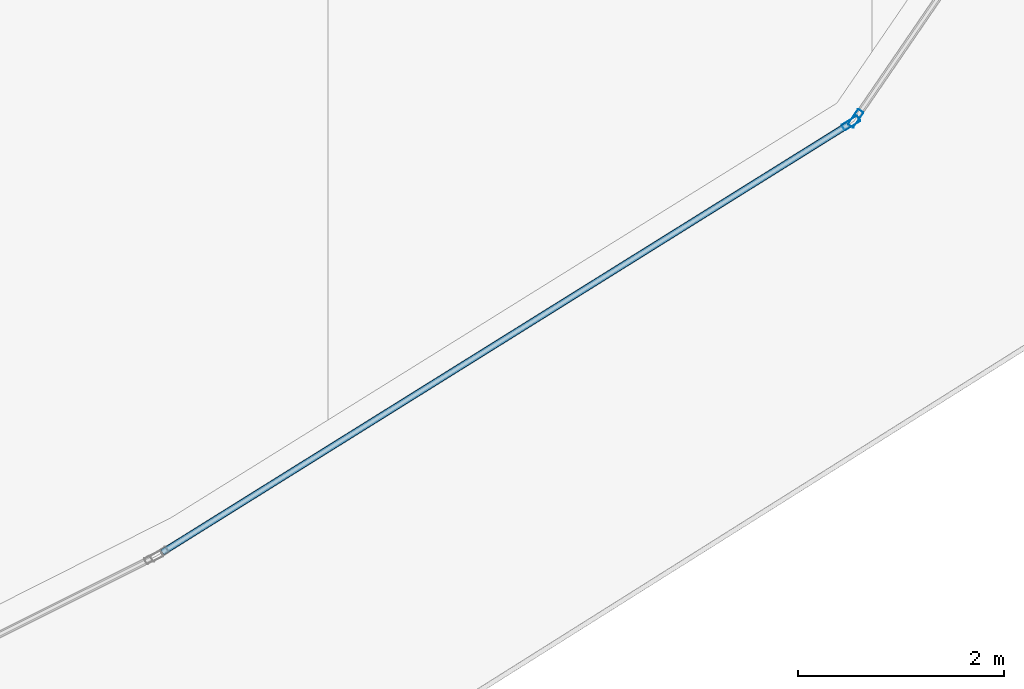
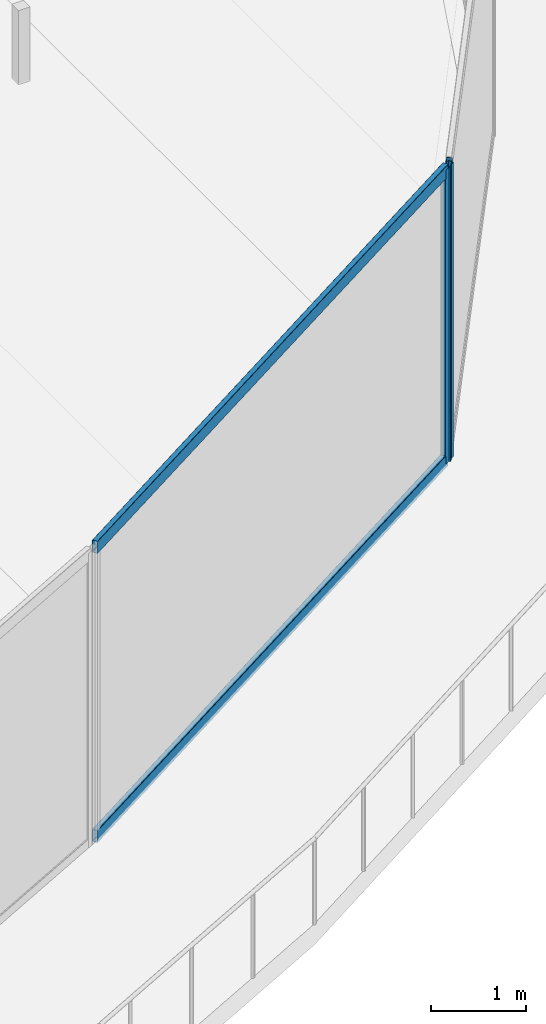
# One storey, part 11 of 43: 4 members, 2 elements without a shape of their own.
"""IFC4 building model written with IfcOpenShell, lengths in metres."""

from ifc_helpers import new_model, si_unit, direction, frame, origin, origin_2d, place, context, subcontext, project, spatial, hollow_rectangle, extrude, material, layer, layer_set, material_profile, profile_set, type_object, element, aggregate, save


model = new_model("IFC4")

# Units and contexts
model_context = context("Model", 3, precision=1e-05, world=origin(), true_north=direction((0.0, 1.0)))
body_context = subcontext(model_context, "Body", "Model", "MODEL_VIEW")
ifc_project = project(units=[si_unit("LENGTHUNIT", "METRE"), si_unit("AREAUNIT", "SQUARE_METRE"), si_unit("VOLUMEUNIT", "CUBIC_METRE"), si_unit("PLANEANGLEUNIT", "RADIAN"), si_unit("MASSUNIT", "GRAM", prefix="KILO")], contexts=[model_context])

# Site, building, storey
site_placement = place(None, origin())
site = spatial("IfcSite", under=ifc_project, at=site_placement, CompositionType="ELEMENT")
building_placement = place(site_placement, origin())
building = spatial("IfcBuilding", under=site, at=building_placement, Name="Qorvath Tower", CompositionType="ELEMENT")
storey_placement = place(building_placement, frame((0.0, 0.0, 213.14990234375)))
storey = spatial("IfcBuildingStorey", under=building, at=storey_placement, Name="L49", CompositionType="ELEMENT", Elevation=213.14990234375)

# Curtain wall, member
ifc_material_1 = material(Name="Anodised aluminium and triple low-E glass", Category="aluminium")
ifc_layer = layer(ifc_material_1, 0.179931640625)
ifc_layer_set = layer_set([ifc_layer], Name="CW-SYS-3")
curtain_wall_type = type_object("IfcCurtainWallType", Name="CW-SYS-3", PredefinedType="NOTDEFINED", material=ifc_layer_set)
curtain_wall_1_placement = place(storey_placement, origin())
curtain_wall_1 = element("IfcCurtainWall", 1, at=curtain_wall_1_placement, inside=storey, type_object=curtain_wall_type, Name="Curtain Wall CW-3 CW-T-L49-4.1", PredefinedType="NOTDEFINED")
ifc_material_2 = material(Name="Anodised aluminium 6063-T6", Category="aluminium")
ifc_material_profile_1 = material_profile(ifc_material_2, hollow_rectangle(XDim=0.06494140625, YDim=0.179931640625, WallThickness=0.00341796875, InnerFilletRadius=0.00341796875, OuterFilletRadius=0.007080078125, at=origin_2d()), Name="CWM 180x65")
ifc_profile_set_1 = profile_set([ifc_material_profile_1], Name="Anodised aluminium 6063-T6")
member_type_1 = type_object("IfcMemberType", Name="CWM-180", PredefinedType="MULLION", material=ifc_profile_set_1)
member_1_placement = place(storey_placement, frame((-6.5576171875, -20.573486328125, 0.0), z_axis=(0.0, 0.0, 1.0), x_axis=(-0.529074089173, 0.848575634912, 0.0)))
member_1 = element("IfcMember", 2, at=member_1_placement, type_object=member_type_1, Name="CW-3 mullion 2", PredefinedType="MULLION", context=body_context, shape_type="SweptSolid", body=[
    extrude(hollow_rectangle(XDim=0.06494140625, YDim=0.179931640625, WallThickness=0.00341796875, InnerFilletRadius=0.00341796875, OuterFilletRadius=0.007080078125, at=origin_2d()), origin(), (0.0, 0.0, 1.0), 3.780029296875),
])

curtain_wall_2_placement = place(storey_placement, origin())
curtain_wall_2 = element("IfcCurtainWall", 3, at=curtain_wall_2_placement, inside=storey, type_object=curtain_wall_type, Name="Curtain Wall CW-3 CW-T-L49-5.1", PredefinedType="NOTDEFINED")
member_2_placement = place(storey_placement, frame((-6.51171875, -20.529541015625, 0.0), z_axis=(0.0, 0.0, 1.0), x_axis=(-0.825322881122, 0.564661085871, 0.0)))
member_2 = element("IfcMember", 4, at=member_2_placement, type_object=member_type_1, Name="CW-3 mullion 1", PredefinedType="MULLION", context=body_context, shape_type="SweptSolid", body=[
    extrude(hollow_rectangle(XDim=0.06494140625, YDim=0.179931640625, WallThickness=0.00341796875, InnerFilletRadius=0.00341796875, OuterFilletRadius=0.007080078125, at=origin_2d()), origin(), (0.0, 0.0, 1.0), 3.780029296875),
])
aggregate(curtain_wall_2, [member_2])

# Member
ifc_material_3 = material(Name="Anodised aluminium 6063-T6", Category="aluminium")
ifc_material_profile_2 = material_profile(ifc_material_3, hollow_rectangle(XDim=0.06494140625, YDim=0.159912109375, WallThickness=0.00341796875, InnerFilletRadius=0.00341796875, OuterFilletRadius=0.007080078125, at=origin_2d()), Name="CWT 160x65")
ifc_profile_set_2 = profile_set([ifc_material_profile_2], Name="Anodised aluminium 6063-T6")
member_type_2 = type_object("IfcMemberType", Name="CWT-160", PredefinedType="USERDEFINED", material=ifc_profile_set_2)
member_3_placement = place(storey_placement, frame((-13.239990234375, -24.739990234375, 0.032470703125), z_axis=(0.848574953144, 0.52907518265, 0.0), x_axis=(-0.52907518265, 0.848574953144, 0.0)))
member_3 = element("IfcMember", 5, at=member_3_placement, type_object=member_type_2, Name="CW-3 transom 1.1", ObjectType="TRANSOM", PredefinedType="USERDEFINED", context=body_context, shape_type="SweptSolid", body=[
    extrude(hollow_rectangle(XDim=0.06494140625, YDim=0.159912109375, WallThickness=0.00341796875, InnerFilletRadius=0.00341796875, OuterFilletRadius=0.007080078125, at=origin_2d()), origin(), (0.0, 0.0, 1.0), 7.84228515625),
])

member_4_placement = place(storey_placement, frame((-13.239990234375, -24.739990234375, 3.74755859375), z_axis=(0.848574953144, 0.52907518265, 0.0), x_axis=(-0.52907518265, 0.848574953144, 0.0)))
member_4 = element("IfcMember", 6, at=member_4_placement, type_object=member_type_2, Name="CW-3 transom 1.2", ObjectType="TRANSOM", PredefinedType="USERDEFINED", context=body_context, shape_type="SweptSolid", body=[
    extrude(hollow_rectangle(XDim=0.06494140625, YDim=0.159912109375, WallThickness=0.00341796875, InnerFilletRadius=0.00341796875, OuterFilletRadius=0.007080078125, at=origin_2d()), origin(), (0.0, 0.0, 1.0), 7.84228515625),
])

aggregate(curtain_wall_1, [member_1, member_3, member_4])

save(model, "model.ifc")
